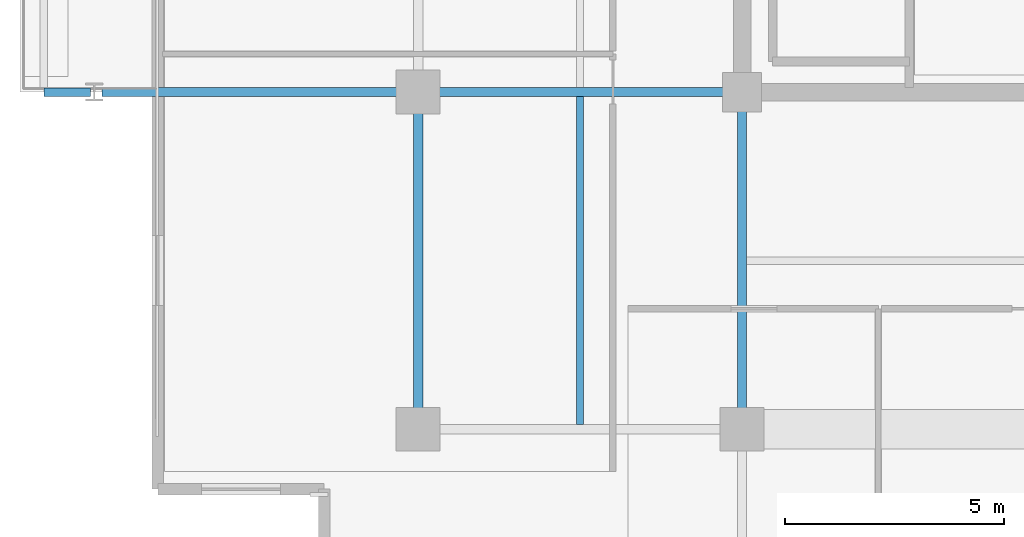
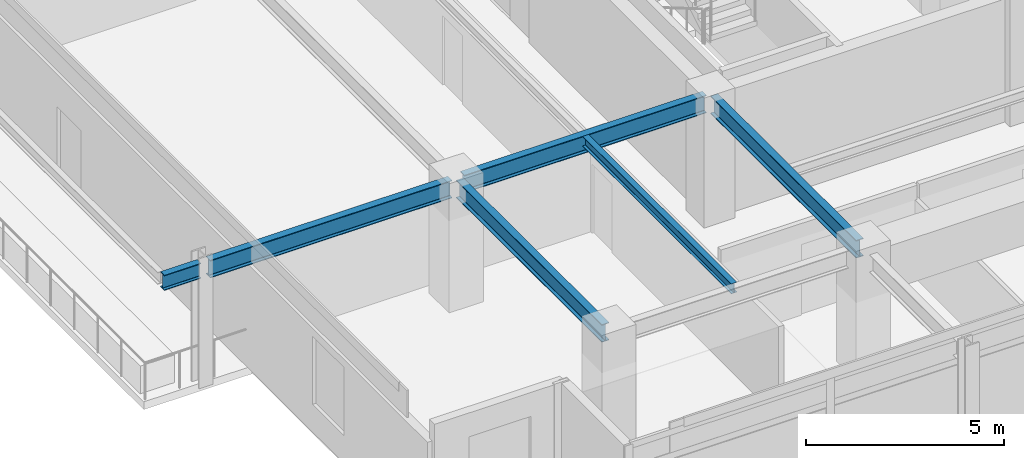
# One storey, part 3 of 20: 6 beams.
"""IFC4 building model written with IfcOpenShell, lengths in metres."""

import ifcopenshell
import ifcopenshell.guid

model = None  # the IFC model being written
_history = None  # IfcOwnerHistory: only IFC2X3 demands one
_inside = {}  # id of a spatial element -> (the spatial element, [elements in it])
_under = {}  # id of a project, library or spatial element -> (it, [spatial elements below it])
_declared = {}  # id of a project -> (the project, [libraries it declares])
_typed = {}  # id of a type object -> (the type object, [elements of that type])
_made_of = {}  # id of a material, layer set ... -> (it, [elements and type objects made of it])


def new_model(schema):
    """Start an empty IFC model of exactly this schema.

    Asked for "IFC4X3", IfcOpenShell would pick the latest addendum, in which some entities
    have other attributes; the version numbers below select the first issue.
    IFC2X3 requires an IfcOwnerHistory on every rooted entity: one is made here for all.
    """
    global model, _history
    if schema == "IFC4X3":
        model = ifcopenshell.file(schema_version=(4, 3, 0, 0))
    else:
        model = ifcopenshell.file(schema=schema)
    _inside.clear()
    _under.clear()
    _declared.clear()
    _typed.clear()
    _made_of.clear()
    _history = None
    if model.schema == "IFC2X3":
        org = make("IfcOrganization", Name="unknown")
        user = make(
            "IfcPersonAndOrganization",
            ThePerson=make("IfcPerson", FamilyName="unknown"),
            TheOrganization=org,
        )
        app = make(
            "IfcApplication",
            ApplicationDeveloper=org,
            Version="unknown",
            ApplicationFullName="unknown",
            ApplicationIdentifier="unknown",
        )
        _history = make(
            "IfcOwnerHistory",
            OwningUser=user,
            OwningApplication=app,
            ChangeAction="ADDED",
            CreationDate=0,
        )
    return model


def make(cls, **values):
    """One entity of the class cls with the attributes given. An attribute that is None is left unset."""
    return model.create_entity(
        cls, **{name: value for name, value in values.items() if value is not None}
    )


def rooted(cls, **values):
    """An entity with a GlobalId (a new one), such as an element, a storey or a relation."""
    return make(cls, GlobalId=ifcopenshell.guid.new(), OwnerHistory=_history, **values)


def si_unit(unit_type, name, prefix=None):
    """IfcSIUnit, for example si_unit("LENGTHUNIT", "METRE", prefix="MILLI")."""
    return make("IfcSIUnit", UnitType=unit_type, Prefix=prefix, Name=name)


def assignment(units):
    """IfcUnitAssignment: the units of a project."""
    return None if units is None else make("IfcUnitAssignment", Units=units)


def point(xyz):
    """IfcCartesianPoint."""
    return None if xyz is None else make("IfcCartesianPoint", Coordinates=xyz)


def direction(xyz):
    """IfcDirection."""
    return None if xyz is None else make("IfcDirection", DirectionRatios=xyz)


def frame(location, z_axis=None, x_axis=None):
    """IfcAxis2Placement3D, a coordinate frame: its origin and axes. An axis left out is left unset."""
    return make(
        "IfcAxis2Placement3D",
        Location=point(location),
        Axis=direction(z_axis),
        RefDirection=direction(x_axis),
    )


def frame_2d(location, x_axis=None):
    """IfcAxis2Placement2D, a coordinate frame in the plane: its origin and x axis."""
    return make(
        "IfcAxis2Placement2D", Location=point(location), RefDirection=direction(x_axis)
    )


def origin():
    """The frame at (0, 0, 0) with its axes left unset."""
    return frame((0.0, 0.0, 0.0))


def origin_2d():
    """The frame at (0, 0) in the plane with its x axis left unset."""
    return frame_2d((0.0, 0.0))


def place(relative_to, where):
    """IfcLocalPlacement: puts the frame where relative to a parent placement (None: the world)."""
    return make(
        "IfcLocalPlacement", PlacementRelTo=relative_to, RelativePlacement=where
    )


def context(
    kind, dimensions, precision=None, world=None, true_north=None, identifier=None
):
    """IfcGeometricRepresentationContext, for example the 3D "Model" context."""
    return make(
        "IfcGeometricRepresentationContext",
        ContextIdentifier=identifier,
        ContextType=kind,
        CoordinateSpaceDimension=dimensions,
        Precision=precision,
        WorldCoordinateSystem=world,
        TrueNorth=true_north,
    )


def subcontext(parent, identifier, kind, view, scale=None):
    """IfcGeometricRepresentationSubContext, for example "Body" below "Model"."""
    return make(
        "IfcGeometricRepresentationSubContext",
        ContextIdentifier=identifier,
        ContextType=kind,
        ParentContext=parent,
        TargetScale=scale,
        TargetView=view,
    )


def project(units=None, contexts=None):
    """IfcProject with its units and contexts."""
    return rooted(
        "IfcProject",
        Name="project",
        RepresentationContexts=contexts,
        UnitsInContext=assignment(units),
    )


def spatial(cls, under=None, at=None, **own):
    """A site, building, storey or space (cls), placed at a placement, below another one or the project."""
    s = rooted(cls, ObjectPlacement=at, **own)
    if under is not None:
        _under.setdefault(under.id(), (under, []))[1].append(s)
    return s


def profile(cls, at=None, kind="AREA", **sizes):
    """A parametric profile (cls). Its sizes go by their IFC names, for example OverallWidth=200.0."""
    return make(cls, ProfileType=kind, Position=at, **sizes)


def i_section(**sizes):
    """IfcIShapeProfileDef."""
    return profile("IfcIShapeProfileDef", **sizes)


def extrude(swept, where, along, depth):
    """IfcExtrudedAreaSolid: the profile swept, set in the frame where, extruded along a direction by depth."""
    return make(
        "IfcExtrudedAreaSolid",
        SweptArea=swept,
        Position=where,
        ExtrudedDirection=direction(along),
        Depth=depth,
    )


def shape(context_of_items, identifier, shape_type, items):
    """IfcShapeRepresentation: the items that make up one representation, for example the "Body"."""
    return make(
        "IfcShapeRepresentation",
        ContextOfItems=context_of_items,
        RepresentationIdentifier=identifier,
        RepresentationType=shape_type,
        Items=items,
    )


def material(Name=None, Category=None):
    """IfcMaterial."""
    return make("IfcMaterial", Name=Name, Category=Category)


def material_profile(
    of_material, cross_section, Name=None, Category=None, Priority=None
):
    """IfcMaterialProfile: a cross section and its material."""
    return make(
        "IfcMaterialProfile",
        Name=Name,
        Material=of_material,
        Profile=cross_section,
        Priority=Priority,
        Category=Category,
    )


def profile_set(profiles, Name=None, composite=None):
    """IfcMaterialProfileSet."""
    return make(
        "IfcMaterialProfileSet",
        Name=Name,
        MaterialProfiles=profiles,
        CompositeProfile=composite,
    )


def made_of(thing, what):
    """Note that an element or type object is made of a material, layer set ...; save() writes the relation."""
    if what is not None:
        _made_of.setdefault(what.id(), (what, []))[1].append(thing)
    return thing


def type_object(cls, material=None, **own):
    """A type object (cls), such as IfcWallType, which elements share."""
    return made_of(rooted(cls, **own), material)


def element(
    cls,
    number,
    at=None,
    inside=None,
    cuts=None,
    type_object=None,
    material=None,
    context=None,
    identifier="Body",
    shape_type=None,
    held_by="IfcProductDefinitionShape",
    body=None,
    shapes=None,
    **own,
):
    """One element of the class cls, such as IfcWall. Its Tag is "e" and its number.

    at: its placement. inside: the storey or other place that contains it. cuts: it is an
    opening in that element (IfcRelVoidsElement). A single representation is given by context,
    identifier, shape_type and body (its items); several are given by shapes. held_by: the class
    of the entity that holds the representations. save() writes the other relations.
    """
    e = rooted(cls, Tag="e%d" % number, ObjectPlacement=at, **own)
    if body is not None:
        shapes = [shape(context, identifier, shape_type, body)]
    if shapes is not None:
        e.Representation = make(held_by, Representations=shapes)
    if inside is not None:
        _inside.setdefault(inside.id(), (inside, []))[1].append(e)
    if cuts is not None:
        rooted(
            "IfcRelVoidsElement", RelatingBuildingElement=cuts, RelatedOpeningElement=e
        )
    if type_object is not None:
        _typed.setdefault(type_object.id(), (type_object, []))[1].append(e)
    return made_of(e, material)


def aggregate(whole, parts):
    """IfcRelAggregates: a whole, such as a stair, and the parts it consists of."""
    return rooted("IfcRelAggregates", RelatingObject=whole, RelatedObjects=parts)


def save(model, path):
    """Write the relations noted so far, then the file.

    IfcRelAggregates (storeys below a building ...), IfcRelContainedInSpatialStructure (elements
    in a storey), IfcRelDefinesByType, IfcRelAssociatesMaterial and IfcRelDeclares: one each for
    every whole, place, type object, material and project.
    """
    for whole, parts in _under.values():
        aggregate(whole, parts)
    for where, things in _inside.values():
        rooted(
            "IfcRelContainedInSpatialStructure",
            RelatedElements=things,
            RelatingStructure=where,
        )
    for kind, things in _typed.values():
        rooted("IfcRelDefinesByType", RelatedObjects=things, RelatingType=kind)
    for what, things in _made_of.values():
        rooted("IfcRelAssociatesMaterial", RelatedObjects=things, RelatingMaterial=what)
    for by, libraries in _declared.values():
        rooted("IfcRelDeclares", RelatingContext=by, RelatedDefinitions=libraries)
    model.write(path)


model = new_model("IFC4")

# Units and contexts
model_context = context("Model", 3, precision=1e-05, world=origin(), true_north=direction((0.0, 1.0)))
body_context = subcontext(model_context, "Body", "Model", "MODEL_VIEW")
ifc_project = project(units=[si_unit("LENGTHUNIT", "METRE"), si_unit("AREAUNIT", "SQUARE_METRE"), si_unit("VOLUMEUNIT", "CUBIC_METRE"), si_unit("PLANEANGLEUNIT", "RADIAN"), si_unit("MASSUNIT", "GRAM", prefix="KILO")], contexts=[model_context])

# Site, building, storey
site_placement = place(None, origin())
site = spatial("IfcSite", under=ifc_project, at=site_placement, CompositionType="ELEMENT")
building_placement = place(site_placement, origin())
building = spatial("IfcBuilding", under=site, at=building_placement, Name="Kovane Verandah Tower", CompositionType="ELEMENT")
storey_placement = place(building_placement, frame((0.0, 0.0, 334.800048828125)))
storey = spatial("IfcBuildingStorey", under=building, at=storey_placement, Name="L78", CompositionType="ELEMENT", Elevation=334.800048828125)

# Beams
ifc_material = material(Name="Steel S355", Category="steel")
ifc_material_profile_1 = material_profile(ifc_material, i_section(OverallWidth=0.2119140625, OverallDepth=0.54443359375, WebThickness=0.0126953125, FlangeThickness=0.021240234375, FilletRadius=0.0126953125, at=origin_2d()), Name="UB533x210x122")
ifc_profile_set_1 = profile_set([ifc_material_profile_1], Name="Steel S355")
beam_type_1 = type_object("IfcBeamType", Name="BM-UB533x122", PredefinedType="BEAM", material=ifc_profile_set_1)
beam_1_placement = place(storey_placement, frame((21.60009765625, 10.97998046875, 3.5126953125), z_axis=(0.0, 1.0, 0.0), x_axis=(-1.0, 0.0, 0.0)))
element("IfcBeam", 1, at=beam_1_placement, inside=storey, type_object=beam_type_1, Name="L78 Primary Tower Girder G-RW1", PredefinedType="BEAM", context=body_context, shape_type="SweptSolid", body=[
    extrude(i_section(OverallWidth=0.2119140625, OverallDepth=0.54443359375, WebThickness=0.0126953125, FlangeThickness=0.021240234375, FilletRadius=0.0126953125, at=origin_2d()), origin(), (0.0, 0.0, 1.0), 7.340087890625),
])
beam_2_placement = place(storey_placement, frame((28.820068359375, 18.5, 3.5126953125), z_axis=(-1.0, 0.0, 0.0), x_axis=(0.0, -1.0, 0.0)))
element("IfcBeam", 2, at=beam_2_placement, inside=storey, type_object=beam_type_1, Name="L78 Primary Tower Girder G-W1", PredefinedType="BEAM", context=body_context, shape_type="SweptSolid", body=[
    extrude(i_section(OverallWidth=0.2119140625, OverallDepth=0.54443359375, WebThickness=0.0126953125, FlangeThickness=0.021240234375, FilletRadius=0.0126953125, at=origin_2d()), origin(), (0.0, 0.0, 1.0), 7.0400390625),
])
beam_3_placement = place(storey_placement, frame((29.0, 18.320068359375, 3.5126953125), z_axis=(0.0, -1.0, 0.0), x_axis=(1.0, 0.0, 0.0)))
element("IfcBeam", 3, at=beam_3_placement, inside=storey, type_object=beam_type_1, Name="L78 Primary Tower Girder G-S1", PredefinedType="BEAM", context=body_context, shape_type="SweptSolid", body=[
    extrude(i_section(OverallWidth=0.2119140625, OverallDepth=0.54443359375, WebThickness=0.0126953125, FlangeThickness=0.021240234375, FilletRadius=0.0126953125, at=origin_2d()), origin(), (0.0, 0.0, 1.0), 7.340087890625),
])
beam_4_placement = place(storey_placement, frame((21.419921875, 18.5, 3.48779296875), z_axis=(-1.0, 0.0, 0.0), x_axis=(0.0, -1.0, 0.0)))
element("IfcBeam", 4, at=beam_4_placement, inside=storey, type_object=beam_type_1, Name="L78 Primary Tower Girder G-VW1", PredefinedType="BEAM", context=body_context, shape_type="SweptSolid", body=[
    extrude(i_section(OverallWidth=0.2119140625, OverallDepth=0.54443359375, WebThickness=0.0126953125, FlangeThickness=0.021240234375, FilletRadius=0.0126953125, at=origin_2d()), origin(), (0.0, 0.0, 1.0), 7.0400390625),
])
ifc_material_profile_2 = material_profile(ifc_material, i_section(OverallWidth=0.1669921875, OverallDepth=0.310302734375, WebThickness=0.0078125, FlangeThickness=0.013671875, FilletRadius=0.0087890625, at=origin_2d()), Name="UB305x165x54")
ifc_profile_set_2 = profile_set([ifc_material_profile_2], Name="Steel S355")
beam_type_2 = type_object("IfcBeamType", Name="JST-UB305x54", PredefinedType="JOIST", material=ifc_profile_set_2)
beam_5_placement = place(storey_placement, frame((25.300048828125, 10.904052734375, 3.629638671875), z_axis=(0.0, 1.0, 0.0), x_axis=(-1.0, 0.0, 0.0)))
element("IfcBeam", 5, at=beam_5_placement, inside=storey, type_object=beam_type_2, Name="L78 Secondary Composite Joist J-SW1", PredefinedType="JOIST", context=body_context, shape_type="SweptSolid", body=[
    extrude(i_section(OverallWidth=0.1669921875, OverallDepth=0.310302734375, WebThickness=0.0078125, FlangeThickness=0.013671875, FilletRadius=0.0087890625, at=origin_2d()), origin(), (0.0, 0.0, 1.0), 7.491943359375),
])
ifc_material_profile_3 = material_profile(ifc_material, i_section(OverallWidth=0.19287109375, OverallDepth=0.46728515625, WebThickness=0.011474609375, FlangeThickness=0.01953125, FilletRadius=0.01025390625, at=origin_2d()), Name="UB457x191x98")
ifc_profile_set_3 = profile_set([ifc_material_profile_3], Name="Steel S355")
beam_type_3 = type_object("IfcBeamType", Name="JST-UB457x98", PredefinedType="JOIST", material=ifc_profile_set_3)
beam_6_placement = place(storey_placement, frame((14.1201171875, 18.5, 3.5263671875), z_axis=(-1.0, 0.0, 0.0), x_axis=(0.0, -1.0, 0.0)))
element("IfcBeam", 6, at=beam_6_placement, inside=storey, type_object=beam_type_3, Name="L78 West Planter Girder 1", PredefinedType="JOIST", context=body_context, shape_type="SweptSolid", body=[
    extrude(i_section(OverallWidth=0.19287109375, OverallDepth=0.46728515625, WebThickness=0.011474609375, FlangeThickness=0.01953125, FilletRadius=0.01025390625, at=origin_2d()), origin(), (0.0, 0.0, 1.0), 1.070068359375),
])

save(model, "model.ifc")
